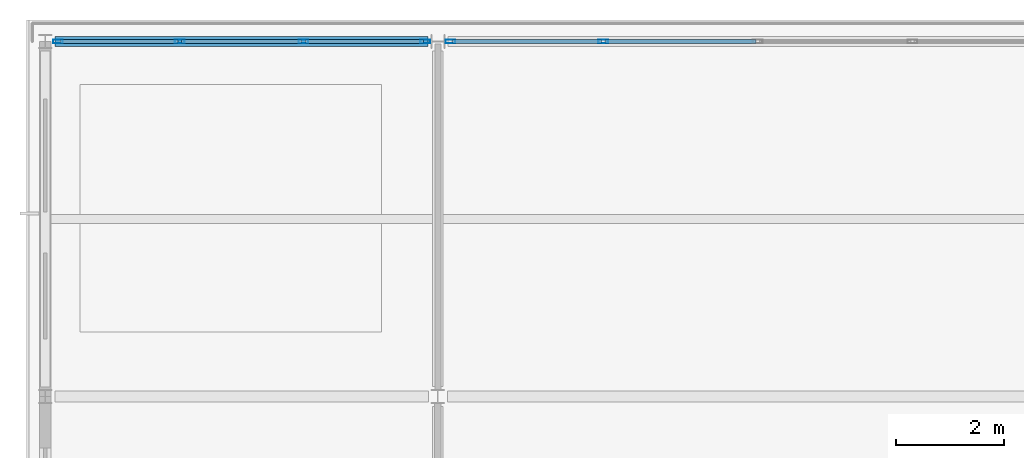
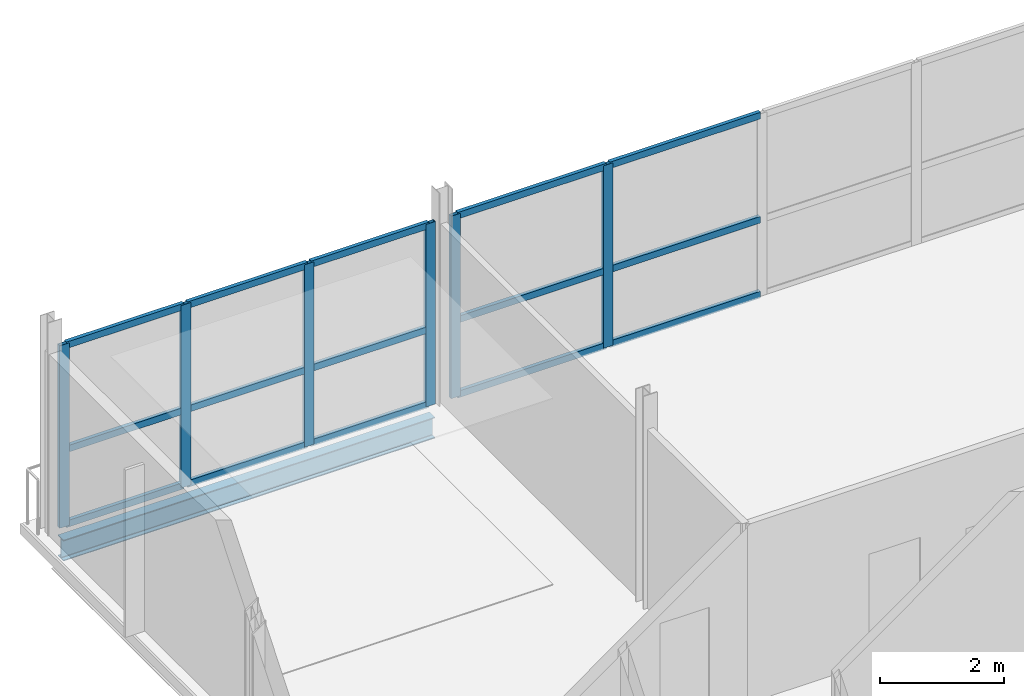
# One storey, part 9 of 17: 21 members, 1 beam, 2 elements without a shape of their own.
"""IFC4 building model written with IfcOpenShell, lengths in metres."""

from ifc_helpers import new_model, si_unit, direction, frame, origin, origin_2d, place, context, subcontext, project, spatial, hollow_rectangle, i_section, extrude, material, layer, layer_set, material_profile, profile_set, type_object, element, aggregate, save


model = new_model("IFC4")

# Units and contexts
model_context = context("Model", 3, precision=1e-05, world=origin(), true_north=direction((0.0, 1.0)))
body_context = subcontext(model_context, "Body", "Model", "MODEL_VIEW")
ifc_project = project(units=[si_unit("LENGTHUNIT", "METRE"), si_unit("AREAUNIT", "SQUARE_METRE"), si_unit("VOLUMEUNIT", "CUBIC_METRE"), si_unit("PLANEANGLEUNIT", "RADIAN"), si_unit("MASSUNIT", "GRAM", prefix="KILO")], contexts=[model_context])

# Site, building, storey
site_placement = place(None, origin())
site = spatial("IfcSite", under=ifc_project, at=site_placement, CompositionType="ELEMENT")
building_placement = place(site_placement, origin())
building = spatial("IfcBuilding", under=site, at=building_placement, Name="Quillay Park Conservatory", CompositionType="ELEMENT")
storey_placement = place(building_placement, frame((0.0, 0.0, 60.300048828125)))
storey = spatial("IfcBuildingStorey", under=building, at=storey_placement, Name="L14", CompositionType="ELEMENT", Elevation=60.300048828125)

# Curtain wall, members
ifc_material_1 = material(Name="Thermally Broken Anodised Aluminium 6063-T6", Category="aluminium")
ifc_layer = layer(ifc_material_1, 0.179931640625)
ifc_layer_set = layer_set([ifc_layer], Name="UNITISED CURTAIN WALL TOWER (Thermally Broken Anodised Aluminium 6063-T6)")
curtain_wall_type = type_object("IfcCurtainWallType", Name="UNITISED CURTAIN WALL TOWER", PredefinedType="USERDEFINED", material=ifc_layer_set)
curtain_wall_1_placement = place(storey_placement, origin())
curtain_wall_1 = element("IfcCurtainWall", 1, at=curtain_wall_1_placement, inside=storey, type_object=curtain_wall_type, Name="L14 Unitised Curtain Wall 136", ObjectType="UNITISED CURTAIN WALL", PredefinedType="USERDEFINED")
ifc_material_2 = material(Name="Thermally Broken Anodised Aluminium 6063-T6", Category="aluminium")
ifc_material_profile_1 = material_profile(ifc_material_2, hollow_rectangle(XDim=0.070068359375, YDim=0.179931640625, WallThickness=0.00390625, at=origin_2d()), Name="AL70x180x4")
ifc_profile_set_1 = profile_set([ifc_material_profile_1], Name="Thermally Broken Anodised Aluminium 6063-T6")
member_type_1 = type_object("IfcMemberType", Name="CURTAIN WALL MULLION 70 X180", PredefinedType="MULLION", material=ifc_profile_set_1)
member_1_placement = place(storey_placement, frame((0.784912109375, 113.39990234375, 0.0), z_axis=(0.0, 0.0, 1.0), x_axis=(0.0, 1.0, 0.0)))
member_1 = element("IfcMember", 2, at=member_1_placement, type_object=member_type_1, Name="CW-T1 mullion 1", PredefinedType="MULLION", context=body_context, shape_type="SweptSolid", body=[
    extrude(hollow_rectangle(XDim=0.070068359375, YDim=0.179931640625, WallThickness=0.00390625, at=origin_2d()), origin(), (0.0, 0.0, 1.0), 3.598876953125),
])
member_2_placement = place(storey_placement, frame((3.050048828125, 113.39990234375, 0.0), z_axis=(0.0, 0.0, 1.0), x_axis=(0.0, 1.0, 0.0)))
member_2 = element("IfcMember", 3, at=member_2_placement, type_object=member_type_1, Name="CW-T1 mullion 2", PredefinedType="MULLION", context=body_context, shape_type="SweptSolid", body=[
    extrude(hollow_rectangle(XDim=0.070068359375, YDim=0.179931640625, WallThickness=0.00390625, at=origin_2d()), origin(), (0.0, 0.0, 1.0), 3.598876953125),
])
member_3_placement = place(storey_placement, frame((5.35009765625, 113.39990234375, 0.0), z_axis=(0.0, 0.0, 1.0), x_axis=(0.0, 1.0, 0.0)))
member_3 = element("IfcMember", 4, at=member_3_placement, type_object=member_type_1, Name="CW-T1 mullion 3", PredefinedType="MULLION", context=body_context, shape_type="SweptSolid", body=[
    extrude(hollow_rectangle(XDim=0.070068359375, YDim=0.179931640625, WallThickness=0.00390625, at=origin_2d()), origin(), (0.0, 0.0, 1.0), 3.598876953125),
])
member_4_placement = place(storey_placement, frame((7.614990234375, 113.39990234375, 0.0), z_axis=(0.0, 0.0, 1.0), x_axis=(0.0, 1.0, 0.0)))
member_4 = element("IfcMember", 5, at=member_4_placement, type_object=member_type_1, Name="CW-T1 mullion 4", PredefinedType="MULLION", context=body_context, shape_type="SweptSolid", body=[
    extrude(hollow_rectangle(XDim=0.070068359375, YDim=0.179931640625, WallThickness=0.00390625, at=origin_2d()), origin(), (0.0, 0.0, 1.0), 3.598876953125),
])

curtain_wall_2_placement = place(storey_placement, origin())
curtain_wall_2 = element("IfcCurtainWall", 6, at=curtain_wall_2_placement, inside=storey, type_object=curtain_wall_type, Name="L14 Unitised Curtain Wall 137", ObjectType="UNITISED CURTAIN WALL", PredefinedType="USERDEFINED")
member_5_placement = place(storey_placement, frame((8.0849609375, 113.39990234375, 0.0), z_axis=(0.0, 0.0, 1.0), x_axis=(0.0, 1.0, 0.0)))
member_5 = element("IfcMember", 7, at=member_5_placement, type_object=member_type_1, Name="CW-T1 mullion 1", PredefinedType="MULLION", context=body_context, shape_type="SweptSolid", body=[
    extrude(hollow_rectangle(XDim=0.070068359375, YDim=0.179931640625, WallThickness=0.00390625, at=origin_2d()), origin(), (0.0, 0.0, 1.0), 3.598876953125),
])
member_6_placement = place(storey_placement, frame((10.925048828125, 113.39990234375, 0.0), z_axis=(0.0, 0.0, 1.0), x_axis=(0.0, 1.0, 0.0)))
member_6 = element("IfcMember", 8, at=member_6_placement, type_object=member_type_1, Name="CW-T1 mullion 2", PredefinedType="MULLION", context=body_context, shape_type="SweptSolid", body=[
    extrude(hollow_rectangle(XDim=0.070068359375, YDim=0.179931640625, WallThickness=0.00390625, at=origin_2d()), origin(), (0.0, 0.0, 1.0), 3.598876953125),
])

# Member
ifc_material_3 = material(Name="Thermally Broken Anodised Aluminium 6063-T6", Category="aluminium")
ifc_material_profile_2 = material_profile(ifc_material_3, hollow_rectangle(XDim=0.070068359375, YDim=0.1298828125, WallThickness=0.003173828125, at=origin_2d()), Name="AL70x130x3.2")
ifc_profile_set_2 = profile_set([ifc_material_profile_2], Name="Thermally Broken Anodised Aluminium 6063-T6")
member_type_2 = type_object("IfcMemberType", Name="CURTAIN WALL TRANSOM 70 X130", PredefinedType="USERDEFINED", material=ifc_profile_set_2)
member_7_placement = place(storey_placement, frame((0.820068359375, 113.39990234375, 0.034912109375), z_axis=(1.0, 0.0, 0.0), x_axis=(0.0, 1.0, 0.0)))
member_7 = element("IfcMember", 9, at=member_7_placement, type_object=member_type_2, Name="CW-T1 transom 1.1", ObjectType="TRANSOM", PredefinedType="USERDEFINED", context=body_context, shape_type="SweptSolid", body=[
    extrude(hollow_rectangle(XDim=0.070068359375, YDim=0.1298828125, WallThickness=0.003173828125, at=origin_2d()), origin(), (0.0, 0.0, 1.0), 2.19482421875),
])

member_8_placement = place(storey_placement, frame((0.820068359375, 113.39990234375, 1.511474609375), z_axis=(1.0, 0.0, 0.0), x_axis=(0.0, 1.0, 0.0)))
member_8 = element("IfcMember", 10, at=member_8_placement, type_object=member_type_2, Name="CW-T1 transom 1.2", ObjectType="TRANSOM", PredefinedType="USERDEFINED", context=body_context, shape_type="SweptSolid", body=[
    extrude(hollow_rectangle(XDim=0.070068359375, YDim=0.1298828125, WallThickness=0.003173828125, at=origin_2d()), origin(), (0.0, 0.0, 1.0), 2.19482421875),
])

member_9_placement = place(storey_placement, frame((0.820068359375, 113.39990234375, 3.56396484375), z_axis=(1.0, 0.0, 0.0), x_axis=(0.0, 1.0, 0.0)))
member_9 = element("IfcMember", 11, at=member_9_placement, type_object=member_type_2, Name="CW-T1 transom 1.3", ObjectType="TRANSOM", PredefinedType="USERDEFINED", context=body_context, shape_type="SweptSolid", body=[
    extrude(hollow_rectangle(XDim=0.070068359375, YDim=0.1298828125, WallThickness=0.003173828125, at=origin_2d()), origin(), (0.0, 0.0, 1.0), 2.19482421875),
])

member_10_placement = place(storey_placement, frame((3.0849609375, 113.39990234375, 0.034912109375), z_axis=(1.0, 0.0, 0.0), x_axis=(0.0, 1.0, 0.0)))
member_10 = element("IfcMember", 12, at=member_10_placement, type_object=member_type_2, Name="CW-T1 transom 2.1", ObjectType="TRANSOM", PredefinedType="USERDEFINED", context=body_context, shape_type="SweptSolid", body=[
    extrude(hollow_rectangle(XDim=0.070068359375, YDim=0.1298828125, WallThickness=0.003173828125, at=origin_2d()), origin(), (0.0, 0.0, 1.0), 2.22998046875),
])

member_11_placement = place(storey_placement, frame((3.0849609375, 113.39990234375, 1.511474609375), z_axis=(1.0, 0.0, 0.0), x_axis=(0.0, 1.0, 0.0)))
member_11 = element("IfcMember", 13, at=member_11_placement, type_object=member_type_2, Name="CW-T1 transom 2.2", ObjectType="TRANSOM", PredefinedType="USERDEFINED", context=body_context, shape_type="SweptSolid", body=[
    extrude(hollow_rectangle(XDim=0.070068359375, YDim=0.1298828125, WallThickness=0.003173828125, at=origin_2d()), origin(), (0.0, 0.0, 1.0), 2.22998046875),
])

member_12_placement = place(storey_placement, frame((3.0849609375, 113.39990234375, 3.56396484375), z_axis=(1.0, 0.0, 0.0), x_axis=(0.0, 1.0, 0.0)))
member_12 = element("IfcMember", 14, at=member_12_placement, type_object=member_type_2, Name="CW-T1 transom 2.3", ObjectType="TRANSOM", PredefinedType="USERDEFINED", context=body_context, shape_type="SweptSolid", body=[
    extrude(hollow_rectangle(XDim=0.070068359375, YDim=0.1298828125, WallThickness=0.003173828125, at=origin_2d()), origin(), (0.0, 0.0, 1.0), 2.22998046875),
])

member_13_placement = place(storey_placement, frame((5.385009765625, 113.39990234375, 0.034912109375), z_axis=(1.0, 0.0, 0.0), x_axis=(0.0, 1.0, 0.0)))
member_13 = element("IfcMember", 15, at=member_13_placement, type_object=member_type_2, Name="CW-T1 transom 3.1", ObjectType="TRANSOM", PredefinedType="USERDEFINED", context=body_context, shape_type="SweptSolid", body=[
    extrude(hollow_rectangle(XDim=0.070068359375, YDim=0.1298828125, WallThickness=0.003173828125, at=origin_2d()), origin(), (0.0, 0.0, 1.0), 2.195068359375),
])

member_14_placement = place(storey_placement, frame((5.385009765625, 113.39990234375, 1.511474609375), z_axis=(1.0, 0.0, 0.0), x_axis=(0.0, 1.0, 0.0)))
member_14 = element("IfcMember", 16, at=member_14_placement, type_object=member_type_2, Name="CW-T1 transom 3.2", ObjectType="TRANSOM", PredefinedType="USERDEFINED", context=body_context, shape_type="SweptSolid", body=[
    extrude(hollow_rectangle(XDim=0.070068359375, YDim=0.1298828125, WallThickness=0.003173828125, at=origin_2d()), origin(), (0.0, 0.0, 1.0), 2.195068359375),
])

member_15_placement = place(storey_placement, frame((5.385009765625, 113.39990234375, 3.56396484375), z_axis=(1.0, 0.0, 0.0), x_axis=(0.0, 1.0, 0.0)))
member_15 = element("IfcMember", 17, at=member_15_placement, type_object=member_type_2, Name="CW-T1 transom 3.3", ObjectType="TRANSOM", PredefinedType="USERDEFINED", context=body_context, shape_type="SweptSolid", body=[
    extrude(hollow_rectangle(XDim=0.070068359375, YDim=0.1298828125, WallThickness=0.003173828125, at=origin_2d()), origin(), (0.0, 0.0, 1.0), 2.195068359375),
])

aggregate(curtain_wall_1, [member_1, member_2, member_3, member_4, member_7, member_8, member_9, member_10, member_11, member_12, member_13, member_14, member_15])

member_16_placement = place(storey_placement, frame((8.1201171875, 113.39990234375, 0.034912109375), z_axis=(1.0, 0.0, 0.0), x_axis=(0.0, 1.0, 0.0)))
member_16 = element("IfcMember", 18, at=member_16_placement, type_object=member_type_2, Name="CW-T1 transom 1.1", ObjectType="TRANSOM", PredefinedType="USERDEFINED", context=body_context, shape_type="SweptSolid", body=[
    extrude(hollow_rectangle(XDim=0.070068359375, YDim=0.1298828125, WallThickness=0.003173828125, at=origin_2d()), origin(), (0.0, 0.0, 1.0), 2.769775390625),
])

member_17_placement = place(storey_placement, frame((8.1201171875, 113.39990234375, 1.511474609375), z_axis=(1.0, 0.0, 0.0), x_axis=(0.0, 1.0, 0.0)))
member_17 = element("IfcMember", 19, at=member_17_placement, type_object=member_type_2, Name="CW-T1 transom 1.2", ObjectType="TRANSOM", PredefinedType="USERDEFINED", context=body_context, shape_type="SweptSolid", body=[
    extrude(hollow_rectangle(XDim=0.070068359375, YDim=0.1298828125, WallThickness=0.003173828125, at=origin_2d()), origin(), (0.0, 0.0, 1.0), 2.769775390625),
])

member_18_placement = place(storey_placement, frame((8.1201171875, 113.39990234375, 3.56396484375), z_axis=(1.0, 0.0, 0.0), x_axis=(0.0, 1.0, 0.0)))
member_18 = element("IfcMember", 20, at=member_18_placement, type_object=member_type_2, Name="CW-T1 transom 1.3", ObjectType="TRANSOM", PredefinedType="USERDEFINED", context=body_context, shape_type="SweptSolid", body=[
    extrude(hollow_rectangle(XDim=0.070068359375, YDim=0.1298828125, WallThickness=0.003173828125, at=origin_2d()), origin(), (0.0, 0.0, 1.0), 2.769775390625),
])

member_19_placement = place(storey_placement, frame((10.9599609375, 113.39990234375, 0.034912109375), z_axis=(1.0, 0.0, 0.0), x_axis=(0.0, 1.0, 0.0)))
member_19 = element("IfcMember", 21, at=member_19_placement, type_object=member_type_2, Name="CW-T1 transom 2.1", ObjectType="TRANSOM", PredefinedType="USERDEFINED", context=body_context, shape_type="SweptSolid", body=[
    extrude(hollow_rectangle(XDim=0.070068359375, YDim=0.1298828125, WallThickness=0.003173828125, at=origin_2d()), origin(), (0.0, 0.0, 1.0), 2.804931640625),
])

member_20_placement = place(storey_placement, frame((10.9599609375, 113.39990234375, 1.511474609375), z_axis=(1.0, 0.0, 0.0), x_axis=(0.0, 1.0, 0.0)))
member_20 = element("IfcMember", 22, at=member_20_placement, type_object=member_type_2, Name="CW-T1 transom 2.2", ObjectType="TRANSOM", PredefinedType="USERDEFINED", context=body_context, shape_type="SweptSolid", body=[
    extrude(hollow_rectangle(XDim=0.070068359375, YDim=0.1298828125, WallThickness=0.003173828125, at=origin_2d()), origin(), (0.0, 0.0, 1.0), 2.804931640625),
])

member_21_placement = place(storey_placement, frame((10.9599609375, 113.39990234375, 3.56396484375), z_axis=(1.0, 0.0, 0.0), x_axis=(0.0, 1.0, 0.0)))
member_21 = element("IfcMember", 23, at=member_21_placement, type_object=member_type_2, Name="CW-T1 transom 2.3", ObjectType="TRANSOM", PredefinedType="USERDEFINED", context=body_context, shape_type="SweptSolid", body=[
    extrude(hollow_rectangle(XDim=0.070068359375, YDim=0.1298828125, WallThickness=0.003173828125, at=origin_2d()), origin(), (0.0, 0.0, 1.0), 2.804931640625),
])

aggregate(curtain_wall_2, [member_5, member_6, member_16, member_17, member_18, member_19, member_20, member_21])

# Beam
ifc_material_4 = material(Name="Steel ASTM A992 Grade 50", Category="steel")
ifc_material_profile_3 = material_profile(ifc_material_4, i_section(OverallWidth=0.179931640625, OverallDepth=0.4130859375, WebThickness=0.009765625, FlangeThickness=0.01611328125, FilletRadius=0.011962890625, at=origin_2d()), Name="W410x74")
ifc_profile_set_3 = profile_set([ifc_material_profile_3], Name="Steel ASTM A992 Grade 50")
beam_type = type_object("IfcBeamType", Name="PERIMETER SPANDREL BEAM W410 X74", PredefinedType="SPANDREL", material=ifc_profile_set_3)
beam_placement = place(storey_placement, frame((0.734619140625, 113.39990234375, -0.421630859375), z_axis=(1.0, 0.0, 0.0), x_axis=(0.0, 1.0, 0.0)))
element("IfcBeam", 24, at=beam_placement, inside=storey, type_object=beam_type, Name="L14 beam BM-SP-0958", PredefinedType="SPANDREL", context=body_context, shape_type="SweptSolid", body=[
    extrude(i_section(OverallWidth=0.179931640625, OverallDepth=0.4130859375, WebThickness=0.009765625, FlangeThickness=0.01611328125, FilletRadius=0.011962890625, at=origin_2d()), origin(), (0.0, 0.0, 1.0), 6.930908203125),
])

save(model, "model.ifc")
